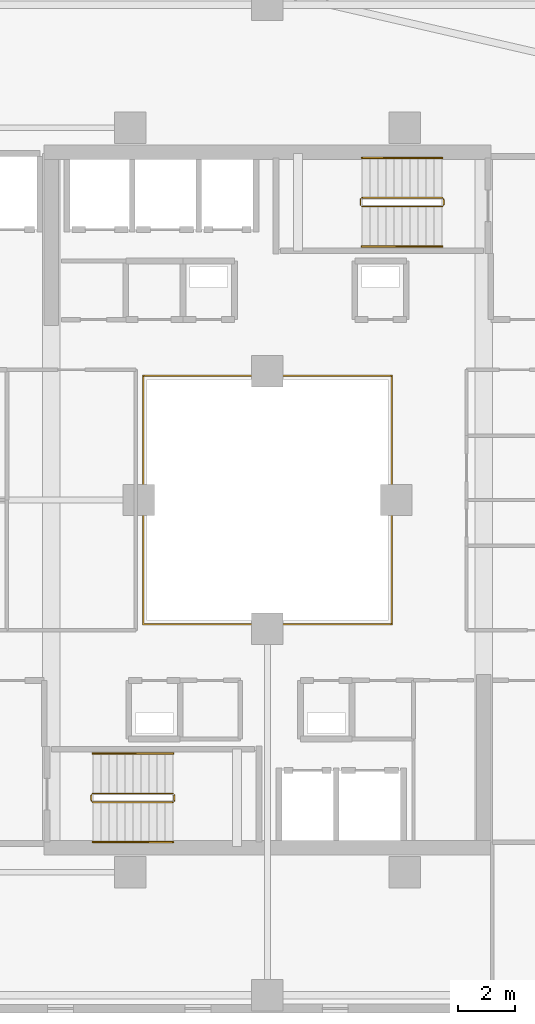
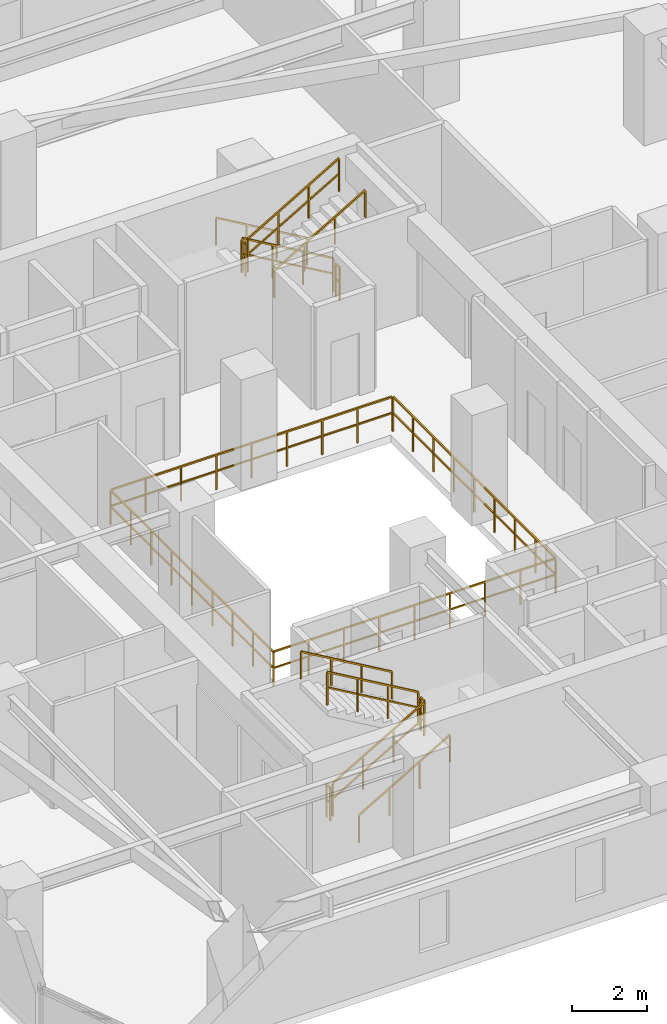
# One storey, part 30 of 33: 13 railings.
"""IFC4 building model written with IfcOpenShell, lengths in metres."""

from ifc_helpers import new_model, si_unit, direction, frame, origin, origin_2d, place, context, subcontext, project, spatial, rectangle, extrude, material, type_object, element, save


model = new_model("IFC4")

# Units and contexts
model_context = context("Model", 3, precision=1e-05, world=origin(), true_north=direction((0.0, 1.0)))
body_context = subcontext(model_context, "Body", "Model", "MODEL_VIEW")
ifc_project = project(units=[si_unit("LENGTHUNIT", "METRE"), si_unit("AREAUNIT", "SQUARE_METRE"), si_unit("VOLUMEUNIT", "CUBIC_METRE"), si_unit("PLANEANGLEUNIT", "RADIAN"), si_unit("MASSUNIT", "GRAM", prefix="KILO")], contexts=[model_context])

# Site, building, storey
site_placement = place(None, origin())
site = spatial("IfcSite", under=ifc_project, at=site_placement, CompositionType="ELEMENT")
building_placement = place(site_placement, origin())
building = spatial("IfcBuilding", under=site, at=building_placement, Name="Thornwick Lancets Civic Towers", CompositionType="ELEMENT")
storey_placement = place(building_placement, frame((0.0, 0.0, 185.699951171875)))
storey = spatial("IfcBuildingStorey", under=building, at=storey_placement, Name="L49", CompositionType="ELEMENT", Elevation=185.699951171875)

# Railings
ifc_material_1 = material(Name="Laminated glass and bronze steel S355", Category="steel")
railing_type_1 = type_object("IfcRailingType", Name="RAIL_ATRIUM_GUARD", PredefinedType="BALUSTRADE", material=ifc_material_1)
railing_1_placement = place(storey_placement, frame((21.159912109375, 22.659912109375, 0.0)))
element("IfcRailing", 1, at=railing_1_placement, inside=storey, type_object=railing_type_1, Name="L49 Tower A Central Atrium Guard Balustrade", PredefinedType="BALUSTRADE", context=body_context, shape_type="SweptSolid", body=[
    extrude(rectangle(XDim=0.048095703125, YDim=0.048095703125, at=origin_2d()), frame((0.0, 0.0, 1.1259765625), z_axis=(1.0, 0.0, 0.0), x_axis=(0.0, 1.0, 0.0)), (0.0, 0.0, 1.0), 8.64892578125),
    extrude(rectangle(XDim=0.0419921875, YDim=0.0419921875, at=origin_2d()), frame((0.03759765625, 0.0, 0.597900390625), z_axis=(1.0, 0.0, 0.0), x_axis=(0.0, 1.0, 0.0)), (0.0, 0.0, 1.0), 1.010009765625),
    extrude(rectangle(XDim=0.0419921875, YDim=0.0419921875, at=origin_2d()), frame((1.12255859375, 0.0, 0.597900390625), z_axis=(1.0, 0.0, 0.0), x_axis=(0.0, 1.0, 0.0)), (0.0, 0.0, 1.0), 1.010009765625),
    extrude(rectangle(XDim=0.0419921875, YDim=0.0419921875, at=origin_2d()), frame((2.20751953125, 0.0, 0.597900390625), z_axis=(1.0, 0.0, 0.0), x_axis=(0.0, 1.0, 0.0)), (0.0, 0.0, 1.0), 1.010009765625),
    extrude(rectangle(XDim=0.0419921875, YDim=0.0419921875, at=origin_2d()), frame((3.29248046875, 0.0, 0.597900390625), z_axis=(1.0, 0.0, 0.0), x_axis=(0.0, 1.0, 0.0)), (0.0, 0.0, 1.0), 1.010009765625),
    extrude(rectangle(XDim=0.0419921875, YDim=0.0419921875, at=origin_2d()), frame((4.377685546875, 0.0, 0.597900390625), z_axis=(1.0, 0.0, 0.0), x_axis=(0.0, 1.0, 0.0)), (0.0, 0.0, 1.0), 1.010009765625),
    extrude(rectangle(XDim=0.0419921875, YDim=0.0419921875, at=origin_2d()), frame((5.462646484375, 0.0, 0.597900390625), z_axis=(1.0, 0.0, 0.0), x_axis=(0.0, 1.0, 0.0)), (0.0, 0.0, 1.0), 1.010009765625),
    extrude(rectangle(XDim=0.0419921875, YDim=0.0419921875, at=origin_2d()), frame((6.547607421875, 0.0, 0.597900390625), z_axis=(1.0, 0.0, 0.0), x_axis=(0.0, 1.0, 0.0)), (0.0, 0.0, 1.0), 1.010009765625),
    extrude(rectangle(XDim=0.0419921875, YDim=0.0419921875, at=origin_2d()), frame((7.632568359375, 0.0, 0.597900390625), z_axis=(1.0, 0.0, 0.0), x_axis=(0.0, 1.0, 0.0)), (0.0, 0.0, 1.0), 1.010009765625),
    extrude(rectangle(XDim=0.048095703125, YDim=0.048095703125, at=origin_2d()), frame((8.68017578125, 0.03125, 1.1259765625), z_axis=(0.0, 1.0, 0.0), x_axis=(-1.0, 0.0, 0.0)), (0.0, 0.0, 1.0), 8.61767578125),
    extrude(rectangle(XDim=0.0419921875, YDim=0.0419921875, at=origin_2d()), frame((8.68017578125, 0.03759765625, 0.597900390625), z_axis=(0.0, 1.0, 0.0), x_axis=(-1.0, 0.0, 0.0)), (0.0, 0.0, 1.0), 1.010009765625),
    extrude(rectangle(XDim=0.0419921875, YDim=0.0419921875, at=origin_2d()), frame((8.68017578125, 1.12255859375, 0.597900390625), z_axis=(0.0, 1.0, 0.0), x_axis=(-1.0, 0.0, 0.0)), (0.0, 0.0, 1.0), 1.010009765625),
    extrude(rectangle(XDim=0.0419921875, YDim=0.0419921875, at=origin_2d()), frame((8.68017578125, 2.20751953125, 0.597900390625), z_axis=(0.0, 1.0, 0.0), x_axis=(-1.0, 0.0, 0.0)), (0.0, 0.0, 1.0), 1.010009765625),
    extrude(rectangle(XDim=0.0419921875, YDim=0.0419921875, at=origin_2d()), frame((8.68017578125, 3.29248046875, 0.597900390625), z_axis=(0.0, 1.0, 0.0), x_axis=(-1.0, 0.0, 0.0)), (0.0, 0.0, 1.0), 1.010009765625),
    extrude(rectangle(XDim=0.0419921875, YDim=0.0419921875, at=origin_2d()), frame((8.68017578125, 4.377685546875, 0.597900390625), z_axis=(0.0, 1.0, 0.0), x_axis=(-1.0, 0.0, 0.0)), (0.0, 0.0, 1.0), 1.010009765625),
    extrude(rectangle(XDim=0.0419921875, YDim=0.0419921875, at=origin_2d()), frame((8.68017578125, 5.462646484375, 0.597900390625), z_axis=(0.0, 1.0, 0.0), x_axis=(-1.0, 0.0, 0.0)), (0.0, 0.0, 1.0), 1.010009765625),
    extrude(rectangle(XDim=0.0419921875, YDim=0.0419921875, at=origin_2d()), frame((8.68017578125, 6.547607421875, 0.597900390625), z_axis=(0.0, 1.0, 0.0), x_axis=(-1.0, 0.0, 0.0)), (0.0, 0.0, 1.0), 1.010009765625),
    extrude(rectangle(XDim=0.0419921875, YDim=0.0419921875, at=origin_2d()), frame((8.68017578125, 7.632568359375, 0.597900390625), z_axis=(0.0, 1.0, 0.0), x_axis=(-1.0, 0.0, 0.0)), (0.0, 0.0, 1.0), 1.010009765625),
    extrude(rectangle(XDim=0.048095703125, YDim=0.048095703125, at=origin_2d()), frame((8.64892578125, 8.68017578125, 1.1259765625), z_axis=(-1.0, 0.0, 0.0), x_axis=(0.0, -1.0, 0.0)), (0.0, 0.0, 1.0), 8.61767578125),
    extrude(rectangle(XDim=0.0419921875, YDim=0.0419921875, at=origin_2d()), frame((8.642578125, 8.68017578125, 0.597900390625), z_axis=(-1.0, 0.0, 0.0), x_axis=(0.0, -1.0, 0.0)), (0.0, 0.0, 1.0), 1.010009765625),
    extrude(rectangle(XDim=0.0419921875, YDim=0.0419921875, at=origin_2d()), frame((7.5576171875, 8.68017578125, 0.597900390625), z_axis=(-1.0, 0.0, 0.0), x_axis=(0.0, -1.0, 0.0)), (0.0, 0.0, 1.0), 1.010009765625),
    extrude(rectangle(XDim=0.0419921875, YDim=0.0419921875, at=origin_2d()), frame((6.47265625, 8.68017578125, 0.597900390625), z_axis=(-1.0, 0.0, 0.0), x_axis=(0.0, -1.0, 0.0)), (0.0, 0.0, 1.0), 1.010009765625),
    extrude(rectangle(XDim=0.0419921875, YDim=0.0419921875, at=origin_2d()), frame((5.3876953125, 8.68017578125, 0.597900390625), z_axis=(-1.0, 0.0, 0.0), x_axis=(0.0, -1.0, 0.0)), (0.0, 0.0, 1.0), 1.010009765625),
    extrude(rectangle(XDim=0.0419921875, YDim=0.0419921875, at=origin_2d()), frame((4.302490234375, 8.68017578125, 0.597900390625), z_axis=(-1.0, 0.0, 0.0), x_axis=(0.0, -1.0, 0.0)), (0.0, 0.0, 1.0), 1.010009765625),
    extrude(rectangle(XDim=0.0419921875, YDim=0.0419921875, at=origin_2d()), frame((3.217529296875, 8.68017578125, 0.597900390625), z_axis=(-1.0, 0.0, 0.0), x_axis=(0.0, -1.0, 0.0)), (0.0, 0.0, 1.0), 1.010009765625),
    extrude(rectangle(XDim=0.0419921875, YDim=0.0419921875, at=origin_2d()), frame((2.132568359375, 8.68017578125, 0.597900390625), z_axis=(-1.0, 0.0, 0.0), x_axis=(0.0, -1.0, 0.0)), (0.0, 0.0, 1.0), 1.010009765625),
    extrude(rectangle(XDim=0.0419921875, YDim=0.0419921875, at=origin_2d()), frame((1.047607421875, 8.68017578125, 0.597900390625), z_axis=(-1.0, 0.0, 0.0), x_axis=(0.0, -1.0, 0.0)), (0.0, 0.0, 1.0), 1.010009765625),
    extrude(rectangle(XDim=0.048095703125, YDim=0.048095703125, at=origin_2d()), frame((0.0, 8.64892578125, 1.1259765625), z_axis=(0.0, -1.0, 0.0), x_axis=(1.0, 0.0, 0.0)), (0.0, 0.0, 1.0), 8.64892578125),
    extrude(rectangle(XDim=0.0419921875, YDim=0.0419921875, at=origin_2d()), frame((0.0, 8.642578125, 0.597900390625), z_axis=(0.0, -1.0, 0.0), x_axis=(1.0, 0.0, 0.0)), (0.0, 0.0, 1.0), 1.010009765625),
    extrude(rectangle(XDim=0.0419921875, YDim=0.0419921875, at=origin_2d()), frame((0.0, 7.5576171875, 0.597900390625), z_axis=(0.0, -1.0, 0.0), x_axis=(1.0, 0.0, 0.0)), (0.0, 0.0, 1.0), 1.010009765625),
    extrude(rectangle(XDim=0.0419921875, YDim=0.0419921875, at=origin_2d()), frame((0.0, 6.47265625, 0.597900390625), z_axis=(0.0, -1.0, 0.0), x_axis=(1.0, 0.0, 0.0)), (0.0, 0.0, 1.0), 1.010009765625),
    extrude(rectangle(XDim=0.0419921875, YDim=0.0419921875, at=origin_2d()), frame((0.0, 5.3876953125, 0.597900390625), z_axis=(0.0, -1.0, 0.0), x_axis=(1.0, 0.0, 0.0)), (0.0, 0.0, 1.0), 1.010009765625),
    extrude(rectangle(XDim=0.0419921875, YDim=0.0419921875, at=origin_2d()), frame((0.0, 4.302490234375, 0.597900390625), z_axis=(0.0, -1.0, 0.0), x_axis=(1.0, 0.0, 0.0)), (0.0, 0.0, 1.0), 1.010009765625),
    extrude(rectangle(XDim=0.0419921875, YDim=0.0419921875, at=origin_2d()), frame((0.0, 3.217529296875, 0.597900390625), z_axis=(0.0, -1.0, 0.0), x_axis=(1.0, 0.0, 0.0)), (0.0, 0.0, 1.0), 1.010009765625),
    extrude(rectangle(XDim=0.0419921875, YDim=0.0419921875, at=origin_2d()), frame((0.0, 2.132568359375, 0.597900390625), z_axis=(0.0, -1.0, 0.0), x_axis=(1.0, 0.0, 0.0)), (0.0, 0.0, 1.0), 1.010009765625),
    extrude(rectangle(XDim=0.0419921875, YDim=0.0419921875, at=origin_2d()), frame((0.0, 1.047607421875, 0.597900390625), z_axis=(0.0, -1.0, 0.0), x_axis=(1.0, 0.0, 0.0)), (0.0, 0.0, 1.0), 1.010009765625),
    extrude(rectangle(XDim=0.0419921875, YDim=0.0419921875, at=origin_2d()), origin(), (0.0, 0.0, 1.0), 1.095703125),
    extrude(rectangle(XDim=0.0419921875, YDim=0.0419921875, at=origin_2d()), frame((1.0849609375, 0.0, 0.0)), (0.0, 0.0, 1.0), 1.095703125),
    extrude(rectangle(XDim=0.0419921875, YDim=0.0419921875, at=origin_2d()), frame((2.169921875, 0.0, 0.0)), (0.0, 0.0, 1.0), 1.095703125),
    extrude(rectangle(XDim=0.0419921875, YDim=0.0419921875, at=origin_2d()), frame((3.255126953125, 0.0, 0.0)), (0.0, 0.0, 1.0), 1.095703125),
    extrude(rectangle(XDim=0.0419921875, YDim=0.0419921875, at=origin_2d()), frame((4.340087890625, 0.0, 0.0)), (0.0, 0.0, 1.0), 1.095703125),
    extrude(rectangle(XDim=0.0419921875, YDim=0.0419921875, at=origin_2d()), frame((5.425048828125, 0.0, 0.0)), (0.0, 0.0, 1.0), 1.095703125),
    extrude(rectangle(XDim=0.0419921875, YDim=0.0419921875, at=origin_2d()), frame((6.51025390625, 0.0, 0.0)), (0.0, 0.0, 1.0), 1.095703125),
    extrude(rectangle(XDim=0.0419921875, YDim=0.0419921875, at=origin_2d()), frame((7.59521484375, 0.0, 0.0)), (0.0, 0.0, 1.0), 1.095703125),
    extrude(rectangle(XDim=0.0419921875, YDim=0.0419921875, at=origin_2d()), frame((8.68017578125, 0.0, 0.0)), (0.0, 0.0, 1.0), 1.095703125),
    extrude(rectangle(XDim=0.0419921875, YDim=0.0419921875, at=origin_2d()), frame((8.68017578125, 1.0849609375, 0.0)), (0.0, 0.0, 1.0), 1.095703125),
    extrude(rectangle(XDim=0.0419921875, YDim=0.0419921875, at=origin_2d()), frame((8.68017578125, 2.169921875, 0.0)), (0.0, 0.0, 1.0), 1.095703125),
    extrude(rectangle(XDim=0.0419921875, YDim=0.0419921875, at=origin_2d()), frame((8.68017578125, 3.255126953125, 0.0)), (0.0, 0.0, 1.0), 1.095703125),
    extrude(rectangle(XDim=0.0419921875, YDim=0.0419921875, at=origin_2d()), frame((8.68017578125, 4.340087890625, 0.0)), (0.0, 0.0, 1.0), 1.095703125),
    extrude(rectangle(XDim=0.0419921875, YDim=0.0419921875, at=origin_2d()), frame((8.68017578125, 5.425048828125, 0.0)), (0.0, 0.0, 1.0), 1.095703125),
    extrude(rectangle(XDim=0.0419921875, YDim=0.0419921875, at=origin_2d()), frame((8.68017578125, 6.51025390625, 0.0)), (0.0, 0.0, 1.0), 1.095703125),
    extrude(rectangle(XDim=0.0419921875, YDim=0.0419921875, at=origin_2d()), frame((8.68017578125, 7.59521484375, 0.0)), (0.0, 0.0, 1.0), 1.095703125),
    extrude(rectangle(XDim=0.0419921875, YDim=0.0419921875, at=origin_2d()), frame((8.68017578125, 8.68017578125, 0.0)), (0.0, 0.0, 1.0), 1.095703125),
    extrude(rectangle(XDim=0.0419921875, YDim=0.0419921875, at=origin_2d()), frame((7.59521484375, 8.68017578125, 0.0)), (0.0, 0.0, 1.0), 1.095703125),
    extrude(rectangle(XDim=0.0419921875, YDim=0.0419921875, at=origin_2d()), frame((6.51025390625, 8.68017578125, 0.0)), (0.0, 0.0, 1.0), 1.095703125),
    extrude(rectangle(XDim=0.0419921875, YDim=0.0419921875, at=origin_2d()), frame((5.425048828125, 8.68017578125, 0.0)), (0.0, 0.0, 1.0), 1.095703125),
    extrude(rectangle(XDim=0.0419921875, YDim=0.0419921875, at=origin_2d()), frame((4.340087890625, 8.68017578125, 0.0)), (0.0, 0.0, 1.0), 1.095703125),
    extrude(rectangle(XDim=0.0419921875, YDim=0.0419921875, at=origin_2d()), frame((3.255126953125, 8.68017578125, 0.0)), (0.0, 0.0, 1.0), 1.095703125),
    extrude(rectangle(XDim=0.0419921875, YDim=0.0419921875, at=origin_2d()), frame((2.169921875, 8.68017578125, 0.0)), (0.0, 0.0, 1.0), 1.095703125),
    extrude(rectangle(XDim=0.0419921875, YDim=0.0419921875, at=origin_2d()), frame((1.0849609375, 8.68017578125, 0.0)), (0.0, 0.0, 1.0), 1.095703125),
    extrude(rectangle(XDim=0.0419921875, YDim=0.0419921875, at=origin_2d()), frame((0.0, 8.68017578125, 0.0)), (0.0, 0.0, 1.0), 1.095703125),
    extrude(rectangle(XDim=0.0419921875, YDim=0.0419921875, at=origin_2d()), frame((0.0, 7.59521484375, 0.0)), (0.0, 0.0, 1.0), 1.095703125),
    extrude(rectangle(XDim=0.0419921875, YDim=0.0419921875, at=origin_2d()), frame((0.0, 6.51025390625, 0.0)), (0.0, 0.0, 1.0), 1.095703125),
    extrude(rectangle(XDim=0.0419921875, YDim=0.0419921875, at=origin_2d()), frame((0.0, 5.425048828125, 0.0)), (0.0, 0.0, 1.0), 1.095703125),
    extrude(rectangle(XDim=0.0419921875, YDim=0.0419921875, at=origin_2d()), frame((0.0, 4.340087890625, 0.0)), (0.0, 0.0, 1.0), 1.095703125),
    extrude(rectangle(XDim=0.0419921875, YDim=0.0419921875, at=origin_2d()), frame((0.0, 3.255126953125, 0.0)), (0.0, 0.0, 1.0), 1.095703125),
    extrude(rectangle(XDim=0.0419921875, YDim=0.0419921875, at=origin_2d()), frame((0.0, 2.169921875, 0.0)), (0.0, 0.0, 1.0), 1.095703125),
    extrude(rectangle(XDim=0.0419921875, YDim=0.0419921875, at=origin_2d()), frame((0.0, 1.0849609375, 0.0)), (0.0, 0.0, 1.0), 1.095703125),
])
ifc_material_2 = material(Name="Brushed stainless steel S355", Category="steel")
railing_type_2 = type_object("IfcRailingType", Name="RAIL_HANDRAIL", PredefinedType="HANDRAIL", material=ifc_material_2)
railing_2_placement = place(storey_placement, frame((19.39990234375, 15.050048828125, 0.16357421875)))
element("IfcRailing", 2, at=railing_2_placement, inside=storey, type_object=railing_type_2, Name="L49 ST-A1 stair handrail 1", PredefinedType="HANDRAIL", context=body_context, shape_type="SweptSolid", body=[
    extrude(rectangle(XDim=0.048095703125, YDim=0.048095703125, at=origin_2d()), frame((0.0, 0.0, 0.8857421875), z_axis=(0.863360870873, 0.0, 0.504586966384), x_axis=(0.0, 1.0, 0.0)), (0.0, 0.0, 1.0), 3.2431640625),
    extrude(rectangle(XDim=0.0419921875, YDim=0.0419921875, at=origin_2d()), origin(), (0.0, 0.0, 1.0), 0.855712890625),
    extrude(rectangle(XDim=0.0419921875, YDim=0.0419921875, at=origin_2d()), frame((0.933349609375, 0.0, 0.54541015625)), (0.0, 0.0, 1.0), 0.855712890625),
    extrude(rectangle(XDim=0.0419921875, YDim=0.0419921875, at=origin_2d()), frame((1.86669921875, 0.0, 1.091064453125)), (0.0, 0.0, 1.0), 0.855712890625),
    extrude(rectangle(XDim=0.0419921875, YDim=0.0419921875, at=origin_2d()), frame((2.800048828125, 0.0, 1.636474609375)), (0.0, 0.0, 1.0), 0.855712890625),
])
for number, where, name in (
    (3, (22.199951171875, 18.14990234375, 1.963623046875), "L49 ST-A1 stair handrail 2"),
    (4, (31.60009765625, 38.949951171875, 0.16357421875), "L49 ST-A2 stair handrail 1"),
):
    element("IfcRailing", number, at=place(storey_placement, frame(where)), inside=storey, type_object=railing_type_2, Name=name, PredefinedType="HANDRAIL", context=body_context, shape_type="SweptSolid", body=[
        extrude(rectangle(XDim=0.048095703125, YDim=0.048095703125, at=origin_2d()), frame((0.0, 0.0, 0.8857421875), z_axis=(-0.863360870873, 0.0, 0.504586966384), x_axis=(0.0, -1.0, 0.0)), (0.0, 0.0, 1.0), 3.2431640625),
        extrude(rectangle(XDim=0.0419921875, YDim=0.0419921875, at=origin_2d()), origin(), (0.0, 0.0, 1.0), 0.855712890625),
        extrude(rectangle(XDim=0.0419921875, YDim=0.0419921875, at=origin_2d()), frame((-0.933349609375, 0.0, 0.54541015625)), (0.0, 0.0, 1.0), 0.855712890625),
        extrude(rectangle(XDim=0.0419921875, YDim=0.0419921875, at=origin_2d()), frame((-1.86669921875, 0.0, 1.091064453125)), (0.0, 0.0, 1.0), 0.855712890625),
        extrude(rectangle(XDim=0.0419921875, YDim=0.0419921875, at=origin_2d()), frame((-2.800048828125, 0.0, 1.636474609375)), (0.0, 0.0, 1.0), 0.855712890625),
    ])
railing_3_placement = place(storey_placement, frame((28.800048828125, 35.85009765625, 1.963623046875)))
element("IfcRailing", 5, at=railing_3_placement, inside=storey, type_object=railing_type_2, Name="L49 ST-A2 stair handrail 2", PredefinedType="HANDRAIL", context=body_context, shape_type="SweptSolid", body=[
    extrude(rectangle(XDim=0.048095703125, YDim=0.048095703125, at=origin_2d()), frame((0.0, 0.0, 0.8857421875), z_axis=(0.863360870873, 0.0, 0.504586966384), x_axis=(0.0, 1.0, 0.0)), (0.0, 0.0, 1.0), 3.2431640625),
    extrude(rectangle(XDim=0.0419921875, YDim=0.0419921875, at=origin_2d()), origin(), (0.0, 0.0, 1.0), 0.855712890625),
    extrude(rectangle(XDim=0.0419921875, YDim=0.0419921875, at=origin_2d()), frame((0.933349609375, 0.0, 0.54541015625)), (0.0, 0.0, 1.0), 0.855712890625),
    extrude(rectangle(XDim=0.0419921875, YDim=0.0419921875, at=origin_2d()), frame((1.86669921875, 0.0, 1.091064453125)), (0.0, 0.0, 1.0), 0.855712890625),
    extrude(rectangle(XDim=0.0419921875, YDim=0.0419921875, at=origin_2d()), frame((2.800048828125, 0.0, 1.636474609375)), (0.0, 0.0, 1.0), 0.855712890625),
])
ifc_material_3 = material(Name="Steel S355JR", Category="steel")
railing_type_3 = type_object("IfcRailingType", Name="RAIL_STAIR_GUARD", PredefinedType="GUARDRAIL", material=ifc_material_3)
railing_4_placement = place(storey_placement, frame((19.39990234375, 16.449951171875, 0.16357421875)))
element("IfcRailing", 6, at=railing_4_placement, inside=storey, type_object=railing_type_3, Name="L49 ST-A1 stair guard 1", PredefinedType="GUARDRAIL", context=body_context, shape_type="SweptSolid", body=[
    extrude(rectangle(XDim=0.048095703125, YDim=0.048095703125, at=origin_2d()), frame((0.0, 0.0, 1.076171875), z_axis=(0.863360870873, 0.0, 0.504586966384), x_axis=(0.0, 1.0, 0.0)), (0.0, 0.0, 1.0), 3.2431640625),
    extrude(rectangle(XDim=0.0419921875, YDim=0.0419921875, at=origin_2d()), frame((0.032470703125, 0.0, 0.591064453125), z_axis=(0.863360870873, 0.0, 0.504586966384), x_axis=(0.0, 1.0, 0.0)), (0.0, 0.0, 1.0), 1.006103515625),
    extrude(rectangle(XDim=0.0419921875, YDim=0.0419921875, at=origin_2d()), frame((0.9658203125, 0.0, 1.136474609375), z_axis=(0.863360870873, 0.0, 0.504586966384), x_axis=(0.0, 1.0, 0.0)), (0.0, 0.0, 1.0), 1.006103515625),
    extrude(rectangle(XDim=0.0419921875, YDim=0.0419921875, at=origin_2d()), frame((1.899169921875, 0.0, 1.681884765625), z_axis=(0.863360870873, 0.0, 0.504586966384), x_axis=(0.0, 1.0, 0.0)), (0.0, 0.0, 1.0), 1.006103515625),
    extrude(rectangle(XDim=0.0419921875, YDim=0.0419921875, at=origin_2d()), origin(), (0.0, 0.0, 1.0), 1.0458984375),
    extrude(rectangle(XDim=0.0419921875, YDim=0.0419921875, at=origin_2d()), frame((0.933349609375, 0.0, 0.54541015625)), (0.0, 0.0, 1.0), 1.0458984375),
    extrude(rectangle(XDim=0.0419921875, YDim=0.0419921875, at=origin_2d()), frame((1.86669921875, 0.0, 1.091064453125)), (0.0, 0.0, 1.0), 1.0458984375),
    extrude(rectangle(XDim=0.0419921875, YDim=0.0419921875, at=origin_2d()), frame((2.800048828125, 0.0, 1.636474609375)), (0.0, 0.0, 1.0), 1.0458984375),
])
railing_5_placement = place(storey_placement, frame((22.25, 16.5, 1.800048828125)))
element("IfcRailing", 7, at=railing_5_placement, inside=storey, type_object=railing_type_3, Name="L49 ST-A1 stair guard 2", PredefinedType="GUARDRAIL", context=body_context, shape_type="SweptSolid", body=[
    extrude(rectangle(XDim=0.048095703125, YDim=0.048095703125, at=origin_2d()), frame((0.0, 0.0, 1.076171875), z_axis=(0.0, 1.0, 0.0), x_axis=(-1.0, 0.0, 0.0)), (0.0, 0.0, 1.0), 0.199951171875),
    extrude(rectangle(XDim=0.0419921875, YDim=0.0419921875, at=origin_2d()), frame((0.0, 0.03759765625, 0.572021484375), z_axis=(0.0, 1.0, 0.0), x_axis=(-1.0, 0.0, 0.0)), (0.0, 0.0, 1.0), 0.125),
    extrude(rectangle(XDim=0.0419921875, YDim=0.0419921875, at=origin_2d()), origin(), (0.0, 0.0, 1.0), 1.0458984375),
    extrude(rectangle(XDim=0.0419921875, YDim=0.0419921875, at=origin_2d()), frame((0.0, 0.199951171875, 0.0)), (0.0, 0.0, 1.0), 1.0458984375),
])
railing_6_placement = place(storey_placement, frame((22.199951171875, 16.75, 1.963623046875)))
element("IfcRailing", 8, at=railing_6_placement, inside=storey, type_object=railing_type_3, Name="L49 ST-A1 stair guard 3", PredefinedType="GUARDRAIL", context=body_context, shape_type="SweptSolid", body=[
    extrude(rectangle(XDim=0.048095703125, YDim=0.048095703125, at=origin_2d()), frame((0.0, 0.0, 1.076171875), z_axis=(-0.863360870873, 0.0, 0.504586966384), x_axis=(0.0, -1.0, 0.0)), (0.0, 0.0, 1.0), 3.2431640625),
    extrude(rectangle(XDim=0.0419921875, YDim=0.0419921875, at=origin_2d()), frame((-0.032470703125, 0.0, 0.591064453125), z_axis=(-0.863360870873, 0.0, 0.504586966384), x_axis=(0.0, -1.0, 0.0)), (0.0, 0.0, 1.0), 1.006103515625),
    extrude(rectangle(XDim=0.0419921875, YDim=0.0419921875, at=origin_2d()), frame((-0.9658203125, 0.0, 1.136474609375), z_axis=(-0.863360870873, 0.0, 0.504586966384), x_axis=(0.0, -1.0, 0.0)), (0.0, 0.0, 1.0), 1.006103515625),
    extrude(rectangle(XDim=0.0419921875, YDim=0.0419921875, at=origin_2d()), frame((-1.899169921875, 0.0, 1.681884765625), z_axis=(-0.863360870873, 0.0, 0.504586966384), x_axis=(0.0, -1.0, 0.0)), (0.0, 0.0, 1.0), 1.006103515625),
    extrude(rectangle(XDim=0.0419921875, YDim=0.0419921875, at=origin_2d()), origin(), (0.0, 0.0, 1.0), 1.0458984375),
    extrude(rectangle(XDim=0.0419921875, YDim=0.0419921875, at=origin_2d()), frame((-0.933349609375, 0.0, 0.54541015625)), (0.0, 0.0, 1.0), 1.0458984375),
    extrude(rectangle(XDim=0.0419921875, YDim=0.0419921875, at=origin_2d()), frame((-1.86669921875, 0.0, 1.091064453125)), (0.0, 0.0, 1.0), 1.0458984375),
    extrude(rectangle(XDim=0.0419921875, YDim=0.0419921875, at=origin_2d()), frame((-2.800048828125, 0.0, 1.636474609375)), (0.0, 0.0, 1.0), 1.0458984375),
])
railing_7_placement = place(storey_placement, frame((19.35009765625, 16.5, 0.0)))
element("IfcRailing", 9, at=railing_7_placement, inside=storey, type_object=railing_type_3, Name="L49 ST-A1 stair guard 4", PredefinedType="GUARDRAIL", context=body_context, shape_type="SweptSolid", body=[
    extrude(rectangle(XDim=0.048095703125, YDim=0.048095703125, at=origin_2d()), frame((0.0, 0.0, 1.076171875), z_axis=(0.0, 1.0, 0.0), x_axis=(-1.0, 0.0, 0.0)), (0.0, 0.0, 1.0), 0.199951171875),
    extrude(rectangle(XDim=0.0419921875, YDim=0.0419921875, at=origin_2d()), frame((0.0, 0.03759765625, 0.572021484375), z_axis=(0.0, 1.0, 0.0), x_axis=(-1.0, 0.0, 0.0)), (0.0, 0.0, 1.0), 0.125),
    extrude(rectangle(XDim=0.0419921875, YDim=0.0419921875, at=origin_2d()), origin(), (0.0, 0.0, 1.0), 1.0458984375),
    extrude(rectangle(XDim=0.0419921875, YDim=0.0419921875, at=origin_2d()), frame((0.0, 0.199951171875, 0.0)), (0.0, 0.0, 1.0), 1.0458984375),
])
railing_8_placement = place(storey_placement, frame((31.60009765625, 37.550048828125, 0.16357421875)))
element("IfcRailing", 10, at=railing_8_placement, inside=storey, type_object=railing_type_3, Name="L49 ST-A2 stair guard 1", PredefinedType="GUARDRAIL", context=body_context, shape_type="SweptSolid", body=[
    extrude(rectangle(XDim=0.048095703125, YDim=0.048095703125, at=origin_2d()), frame((0.0, 0.0, 1.076171875), z_axis=(-0.863360870873, 0.0, 0.504586966384), x_axis=(0.0, -1.0, 0.0)), (0.0, 0.0, 1.0), 3.2431640625),
    extrude(rectangle(XDim=0.0419921875, YDim=0.0419921875, at=origin_2d()), frame((-0.032470703125, 0.0, 0.591064453125), z_axis=(-0.863360870873, 0.0, 0.504586966384), x_axis=(0.0, -1.0, 0.0)), (0.0, 0.0, 1.0), 1.006103515625),
    extrude(rectangle(XDim=0.0419921875, YDim=0.0419921875, at=origin_2d()), frame((-0.9658203125, 0.0, 1.136474609375), z_axis=(-0.863360870873, 0.0, 0.504586966384), x_axis=(0.0, -1.0, 0.0)), (0.0, 0.0, 1.0), 1.006103515625),
    extrude(rectangle(XDim=0.0419921875, YDim=0.0419921875, at=origin_2d()), frame((-1.899169921875, 0.0, 1.681884765625), z_axis=(-0.863360870873, 0.0, 0.504586966384), x_axis=(0.0, -1.0, 0.0)), (0.0, 0.0, 1.0), 1.006103515625),
    extrude(rectangle(XDim=0.0419921875, YDim=0.0419921875, at=origin_2d()), origin(), (0.0, 0.0, 1.0), 1.0458984375),
    extrude(rectangle(XDim=0.0419921875, YDim=0.0419921875, at=origin_2d()), frame((-0.933349609375, 0.0, 0.54541015625)), (0.0, 0.0, 1.0), 1.0458984375),
    extrude(rectangle(XDim=0.0419921875, YDim=0.0419921875, at=origin_2d()), frame((-1.86669921875, 0.0, 1.091064453125)), (0.0, 0.0, 1.0), 1.0458984375),
    extrude(rectangle(XDim=0.0419921875, YDim=0.0419921875, at=origin_2d()), frame((-2.800048828125, 0.0, 1.636474609375)), (0.0, 0.0, 1.0), 1.0458984375),
])
railing_9_placement = place(storey_placement, frame((28.75, 37.5, 1.800048828125)))
element("IfcRailing", 11, at=railing_9_placement, inside=storey, type_object=railing_type_3, Name="L49 ST-A2 stair guard 2", PredefinedType="GUARDRAIL", context=body_context, shape_type="SweptSolid", body=[
    extrude(rectangle(XDim=0.048095703125, YDim=0.048095703125, at=origin_2d()), frame((0.0, 0.0, 1.076171875), z_axis=(0.0, -1.0, 0.0), x_axis=(1.0, 0.0, 0.0)), (0.0, 0.0, 1.0), 0.199951171875),
    extrude(rectangle(XDim=0.0419921875, YDim=0.0419921875, at=origin_2d()), frame((0.0, -0.03759765625, 0.572021484375), z_axis=(0.0, -1.0, 0.0), x_axis=(1.0, 0.0, 0.0)), (0.0, 0.0, 1.0), 0.125),
    extrude(rectangle(XDim=0.0419921875, YDim=0.0419921875, at=origin_2d()), origin(), (0.0, 0.0, 1.0), 1.0458984375),
    extrude(rectangle(XDim=0.0419921875, YDim=0.0419921875, at=origin_2d()), frame((0.0, -0.199951171875, 0.0)), (0.0, 0.0, 1.0), 1.0458984375),
])
railing_10_placement = place(storey_placement, frame((28.800048828125, 37.25, 1.963623046875)))
element("IfcRailing", 12, at=railing_10_placement, inside=storey, type_object=railing_type_3, Name="L49 ST-A2 stair guard 3", PredefinedType="GUARDRAIL", context=body_context, shape_type="SweptSolid", body=[
    extrude(rectangle(XDim=0.048095703125, YDim=0.048095703125, at=origin_2d()), frame((0.0, 0.0, 1.076171875), z_axis=(0.863360870873, 0.0, 0.504586966384), x_axis=(0.0, 1.0, 0.0)), (0.0, 0.0, 1.0), 3.2431640625),
    extrude(rectangle(XDim=0.0419921875, YDim=0.0419921875, at=origin_2d()), frame((0.032470703125, 0.0, 0.591064453125), z_axis=(0.863360870873, 0.0, 0.504586966384), x_axis=(0.0, 1.0, 0.0)), (0.0, 0.0, 1.0), 1.006103515625),
    extrude(rectangle(XDim=0.0419921875, YDim=0.0419921875, at=origin_2d()), frame((0.9658203125, 0.0, 1.136474609375), z_axis=(0.863360870873, 0.0, 0.504586966384), x_axis=(0.0, 1.0, 0.0)), (0.0, 0.0, 1.0), 1.006103515625),
    extrude(rectangle(XDim=0.0419921875, YDim=0.0419921875, at=origin_2d()), frame((1.899169921875, 0.0, 1.681884765625), z_axis=(0.863360870873, 0.0, 0.504586966384), x_axis=(0.0, 1.0, 0.0)), (0.0, 0.0, 1.0), 1.006103515625),
    extrude(rectangle(XDim=0.0419921875, YDim=0.0419921875, at=origin_2d()), origin(), (0.0, 0.0, 1.0), 1.0458984375),
    extrude(rectangle(XDim=0.0419921875, YDim=0.0419921875, at=origin_2d()), frame((0.933349609375, 0.0, 0.54541015625)), (0.0, 0.0, 1.0), 1.0458984375),
    extrude(rectangle(XDim=0.0419921875, YDim=0.0419921875, at=origin_2d()), frame((1.86669921875, 0.0, 1.091064453125)), (0.0, 0.0, 1.0), 1.0458984375),
    extrude(rectangle(XDim=0.0419921875, YDim=0.0419921875, at=origin_2d()), frame((2.800048828125, 0.0, 1.636474609375)), (0.0, 0.0, 1.0), 1.0458984375),
])
railing_11_placement = place(storey_placement, frame((31.64990234375, 37.5, 0.0)))
element("IfcRailing", 13, at=railing_11_placement, inside=storey, type_object=railing_type_3, Name="L49 ST-A2 stair guard 4", PredefinedType="GUARDRAIL", context=body_context, shape_type="SweptSolid", body=[
    extrude(rectangle(XDim=0.048095703125, YDim=0.048095703125, at=origin_2d()), frame((0.0, 0.0, 1.076171875), z_axis=(0.0, -1.0, 0.0), x_axis=(1.0, 0.0, 0.0)), (0.0, 0.0, 1.0), 0.199951171875),
    extrude(rectangle(XDim=0.0419921875, YDim=0.0419921875, at=origin_2d()), frame((0.0, -0.03759765625, 0.572021484375), z_axis=(0.0, -1.0, 0.0), x_axis=(1.0, 0.0, 0.0)), (0.0, 0.0, 1.0), 0.125),
    extrude(rectangle(XDim=0.0419921875, YDim=0.0419921875, at=origin_2d()), origin(), (0.0, 0.0, 1.0), 1.0458984375),
    extrude(rectangle(XDim=0.0419921875, YDim=0.0419921875, at=origin_2d()), frame((0.0, -0.199951171875, 0.0)), (0.0, 0.0, 1.0), 1.0458984375),
])

save(model, "model.ifc")
